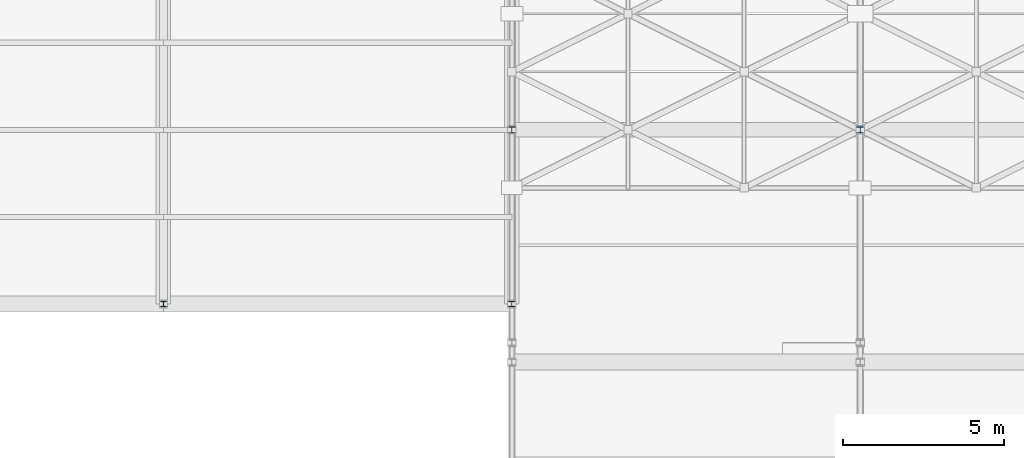
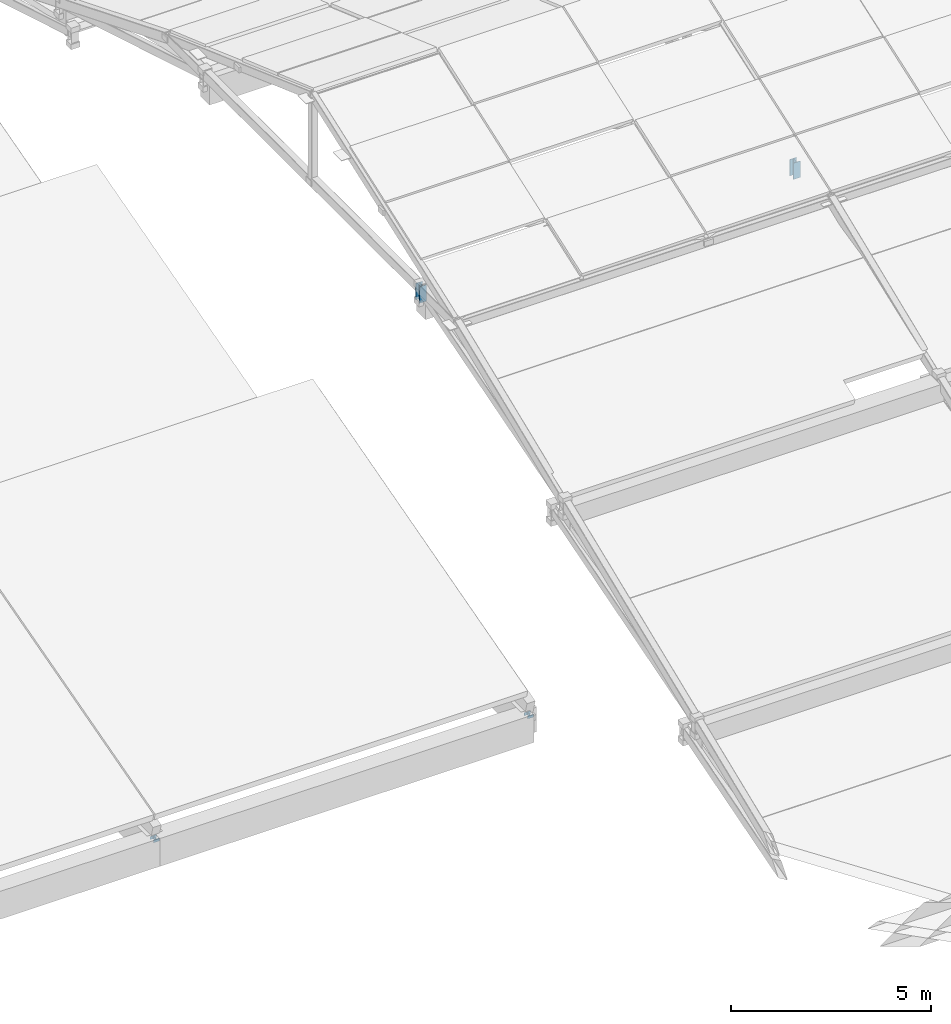
# One storey, part 74 of 112: 4 members.
"""IFC4 building model written with IfcOpenShell, lengths in metres."""

from ifc_helpers import new_model, si_unit, direction, frame, origin, origin_2d, place, context, subcontext, project, spatial, i_section, extrude, material, material_profile, profile_set, type_object, element, save


model = new_model("IFC4")

# Units and contexts
model_context = context("Model", 3, precision=1e-05, world=origin(), true_north=direction((0.0, 1.0)))
body_context = subcontext(model_context, "Body", "Model", "MODEL_VIEW")
ifc_project = project(units=[si_unit("LENGTHUNIT", "METRE"), si_unit("AREAUNIT", "SQUARE_METRE"), si_unit("VOLUMEUNIT", "CUBIC_METRE"), si_unit("PLANEANGLEUNIT", "RADIAN"), si_unit("MASSUNIT", "GRAM", prefix="KILO")], contexts=[model_context])

# Site, building, storey
site_placement = place(None, origin())
site = spatial("IfcSite", under=ifc_project, at=site_placement, CompositionType="ELEMENT")
building_placement = place(site_placement, origin())
building = spatial("IfcBuilding", under=site, at=building_placement, Name="Zwinboog Wholesale Market", CompositionType="ELEMENT")
storey_placement = place(building_placement, frame((0.0, 0.0, 19.080078125)))
storey = spatial("IfcBuildingStorey", under=building, at=storey_placement, Name="Roof", CompositionType="ELEMENT", Elevation=19.080078125)

# Members
ifc_material = material(Name="Steel S355", Category="steel")
ifc_material_profile_1 = material_profile(ifc_material, i_section(OverallWidth=0.199951171875, OverallDepth=0.18994140625, WebThickness=0.006591796875, FlangeThickness=0.010009765625, FilletRadius=0.01806640625, at=origin_2d()), Name="HEA 200")
ifc_profile_set_1 = profile_set([ifc_material_profile_1], Name="Steel S355")
member_type_1 = type_object("IfcMemberType", Name="MT-05", PredefinedType="BRACE", material=ifc_profile_set_1)
for number, where, z_axis, x_axis, name in (
    (1, (64.800048828125, 70.199951171875, 0.219970703125), (0.0, 0.0, 1.0), (1.0, 0.0, 0.0), "DB-02 (MEM-Roof-0012)"),
    (2, (75.60009765625, 70.199951171875, 0.219970703125), (0.0, 0.0, 1.0), (1.0, 0.0, 0.0), "DB-02 (MEM-Roof-0042)"),
):
    element("IfcMember", number, at=place(storey_placement, frame(where, z_axis=z_axis, x_axis=x_axis)), inside=storey, type_object=member_type_1, Name=name, PredefinedType="BRACE", context=body_context, shape_type="SweptSolid", body=[
        extrude(i_section(OverallWidth=0.199951171875, OverallDepth=0.18994140625, WebThickness=0.006591796875, FlangeThickness=0.010009765625, FilletRadius=0.01806640625, at=origin_2d()), origin(), (0.0, 0.0, 1.0), 0.5),
    ])
ifc_material_profile_2 = material_profile(ifc_material, i_section(OverallWidth=0.179931640625, OverallDepth=0.1708984375, WebThickness=0.006103515625, FlangeThickness=0.009521484375, FilletRadius=0.014892578125, at=origin_2d()), Name="HEA 180")
ifc_profile_set_2 = profile_set([ifc_material_profile_2], Name="Steel S355")
member_type_2 = type_object("IfcMemberType", Name="MT-07", PredefinedType="BRACE", material=ifc_profile_set_2)
for number, where, z_axis, x_axis, name in (
    (3, (54.0, 64.800048828125, -9.2001953125), (0.0, 0.0, 1.0), (1.0, 0.0, 0.0), "DB-04 (MEM-Roof-0849)"),
    (4, (64.800048828125, 64.800048828125, -9.2001953125), (0.0, 0.0, 1.0), (1.0, 0.0, 0.0), "DB-04 (MEM-Roof-0852)"),
):
    element("IfcMember", number, at=place(storey_placement, frame(where, z_axis=z_axis, x_axis=x_axis)), inside=storey, type_object=member_type_2, Name=name, PredefinedType="BRACE", context=body_context, shape_type="SweptSolid", body=[
        extrude(i_section(OverallWidth=0.179931640625, OverallDepth=0.1708984375, WebThickness=0.006103515625, FlangeThickness=0.009521484375, FilletRadius=0.014892578125, at=origin_2d()), origin(), (0.0, 0.0, 1.0), 0.0869140625),
    ])

save(model, "model.ifc")
